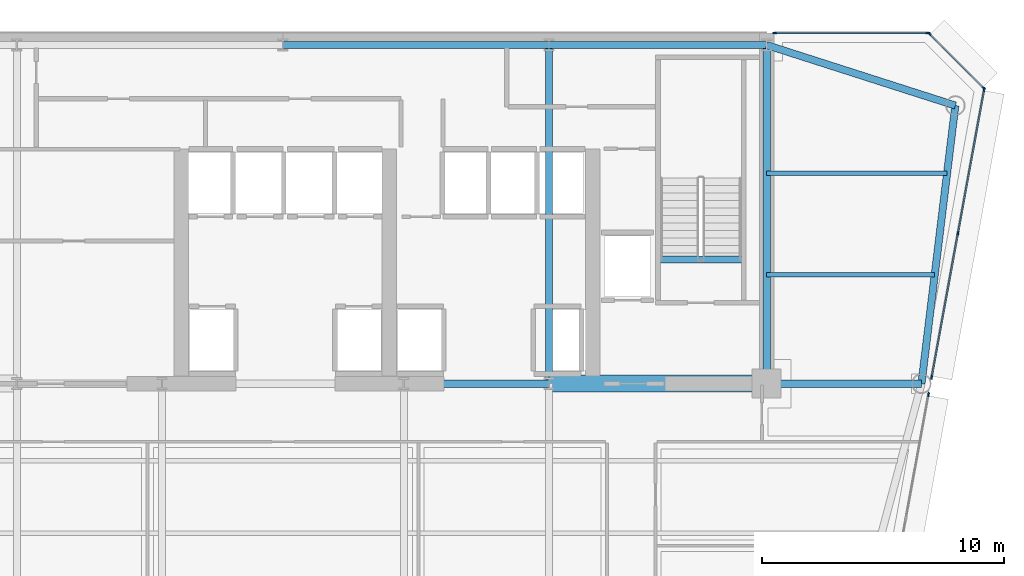
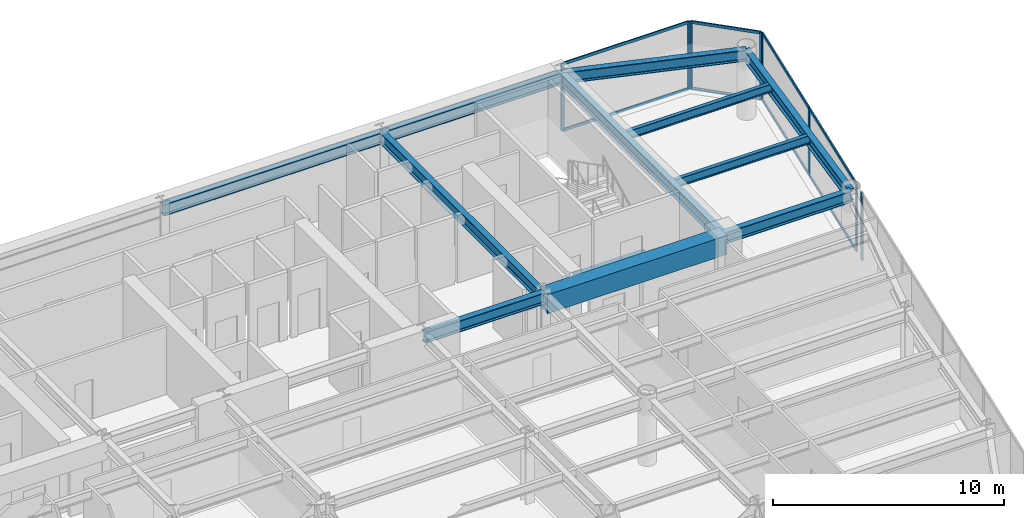
# One storey, part 9 of 17: 16 members, 12 beams, 4 elements without a shape of their own.
"""IFC4 building model written with IfcOpenShell, lengths in metres."""

from ifc_helpers import new_model, si_unit, direction, frame, origin, origin_2d, place, context, subcontext, project, spatial, rectangle, i_section, extrude, source, transform, mapped, material, layer, layer_set, material_profile, profile_set, type_object, element, aggregate, save


model = new_model("IFC4")

# Units and contexts
model_context = context("Model", 3, precision=1e-05, world=origin(), true_north=direction((0.0, 1.0)))
body_context = subcontext(model_context, "Body", "Model", "MODEL_VIEW")
ifc_project = project(units=[si_unit("LENGTHUNIT", "METRE"), si_unit("AREAUNIT", "SQUARE_METRE"), si_unit("VOLUMEUNIT", "CUBIC_METRE"), si_unit("PLANEANGLEUNIT", "RADIAN"), si_unit("MASSUNIT", "GRAM", prefix="KILO")], contexts=[model_context])

# Site, building, storey
site_placement = place(None, origin())
site = spatial("IfcSite", under=ifc_project, at=site_placement, CompositionType="ELEMENT")
building_placement = place(site_placement, origin())
building = spatial("IfcBuilding", under=site, at=building_placement, Name="Vaeldorn Concourse Tower", CompositionType="ELEMENT")
storey_placement = place(building_placement, frame((0.0, 0.0, 169.0)))
storey = spatial("IfcBuildingStorey", under=building, at=storey_placement, Name="L43", CompositionType="ELEMENT", Elevation=169.0)

# Beams
ifc_material_1 = material(Name="Concrete C50/60", Category="concrete")
ifc_material_profile_1 = material_profile(ifc_material_1, rectangle(XDim=0.699951171875, YDim=1.0, at=origin_2d()), Name="RC 700x1000")
ifc_profile_set_1 = profile_set([ifc_material_profile_1], Name="Concrete C50/60")
beam_type_1 = type_object("IfcBeamType", Name="BM-CB-RC700", PredefinedType="BEAM", material=ifc_profile_set_1)
shared_shape_1 = source(origin(), body_context, "Body", "SweptSolid", [
    extrude(rectangle(XDim=0.699951171875, YDim=1.0, at=origin_2d()), origin(), (0.0, 0.0, 1.0), 9.0),
])
beam_1_placement = place(storey_placement, frame((45.0, 36.5, 3.080078125), z_axis=(1.0, 0.0, 0.0), x_axis=(0.0, 1.0, 0.0)))
element("IfcBeam", 1, at=beam_1_placement, inside=storey, type_object=beam_type_1, Name="Core Coupling Beam L43-2", PredefinedType="BEAM", context=body_context, shape_type="MappedRepresentation", body=[
    mapped(shared_shape_1, transform((0.0, 0.0, 0.0), scale=1.0)),
])
ifc_material_2 = material(Name="Steel S355", Category="steel")
ifc_material_profile_2 = material_profile(ifc_material_2, i_section(OverallWidth=0.300048828125, OverallDepth=0.340087890625, WebThickness=0.011962890625, FlangeThickness=0.021484375, FilletRadius=0.027099609375, at=origin_2d()), Name="HEB 340")
ifc_profile_set_2 = profile_set([ifc_material_profile_2], Name="Steel S355")
beam_type_2 = type_object("IfcBeamType", Name="BM-ST-TRIM", PredefinedType="BEAM", material=ifc_profile_set_2)
shared_shape_2 = source(origin(), body_context, "Body", "SweptSolid", [
    extrude(i_section(OverallWidth=0.300048828125, OverallDepth=0.340087890625, WebThickness=0.011962890625, FlangeThickness=0.021484375, FilletRadius=0.027099609375, at=origin_2d()), origin(), (0.0, 0.0, 1.0), 3.590087890625),
])
beam_2_placement = place(storey_placement, frame((49.47998046875, 41.639892578125, -0.389892578125), z_axis=(1.0, 0.0, 0.0), x_axis=(0.0, 1.0, 0.0)))
element("IfcBeam", 2, at=beam_2_placement, inside=storey, type_object=beam_type_2, Name="Stair Landing Trimmer Beam ST-2 L43", PredefinedType="BEAM", context=body_context, shape_type="MappedRepresentation", body=[
    mapped(shared_shape_2, transform((0.0, 0.0, 0.0), scale=1.0)),
])
ifc_material_profile_3 = material_profile(ifc_material_2, i_section(OverallWidth=0.18994140625, OverallDepth=0.449951171875, WebThickness=0.009521484375, FlangeThickness=0.0146484375, FilletRadius=0.02099609375, at=origin_2d()), Name="IPE 450")
ifc_profile_set_3 = profile_set([ifc_material_profile_3], Name="Steel S355")
beam_type_3 = type_object("IfcBeamType", Name="BM-JS-IPE450", PredefinedType="JOIST", material=ifc_profile_set_3)
shared_shape_3 = source(origin(), body_context, "Body", "SweptSolid", [
    extrude(i_section(OverallWidth=0.18994140625, OverallDepth=0.449951171875, WebThickness=0.009521484375, FlangeThickness=0.0146484375, FilletRadius=0.02099609375, at=origin_2d()), origin(), (0.0, 0.0, 1.0), 6.94775390625),
])
beam_3_placement = place(storey_placement, frame((54.0, 41.0, 3.35498046875), z_axis=(1.0, 0.0, 0.0), x_axis=(0.0, 1.0, 0.0)))
element("IfcBeam", 3, at=beam_3_placement, inside=storey, type_object=beam_type_3, Name="Beam JS-L43-NE-410", PredefinedType="JOIST", context=body_context, shape_type="MappedRepresentation", body=[
    mapped(shared_shape_3, transform((0.0, 0.0, 0.0), scale=1.0)),
])
shared_shape_4 = source(origin(), body_context, "Body", "SweptSolid", [
    extrude(i_section(OverallWidth=0.18994140625, OverallDepth=0.449951171875, WebThickness=0.009521484375, FlangeThickness=0.0146484375, FilletRadius=0.02099609375, at=origin_2d()), origin(), (0.0, 0.0, 1.0), 7.458984375),
])
beam_4_placement = place(storey_placement, frame((54.0, 45.199951171875, 3.35498046875), z_axis=(1.0, 0.0, 0.0), x_axis=(0.0, 1.0, 0.0)))
element("IfcBeam", 4, at=beam_4_placement, inside=storey, type_object=beam_type_3, Name="Beam JS-L43-NE-452", PredefinedType="JOIST", context=body_context, shape_type="MappedRepresentation", body=[
    mapped(shared_shape_4, transform((0.0, 0.0, 0.0), scale=1.0)),
])
ifc_material_profile_4 = material_profile(ifc_material_2, i_section(OverallWidth=0.300048828125, OverallDepth=0.60009765625, WebThickness=0.015380859375, FlangeThickness=0.030029296875, FilletRadius=0.027099609375, at=origin_2d()), Name="HEB 600")
ifc_profile_set_4 = profile_set([ifc_material_profile_4], Name="Steel S355")
beam_type_4 = type_object("IfcBeamType", Name="BM-PG-HEB600", PredefinedType="BEAM", material=ifc_profile_set_4)
shared_shape_5 = source(origin(), body_context, "Body", "SweptSolid", [
    extrude(i_section(OverallWidth=0.300048828125, OverallDepth=0.60009765625, WebThickness=0.015380859375, FlangeThickness=0.030029296875, FilletRadius=0.027099609375, at=origin_2d()), origin(), (0.0, 0.0, 1.0), 6.0),
])
beam_5_placement = place(storey_placement, frame((39.0, 36.5, 3.280029296875), z_axis=(1.0, 0.0, 0.0), x_axis=(0.0, 1.0, 0.0)))
element("IfcBeam", 5, at=beam_5_placement, inside=storey, type_object=beam_type_4, Name="Beam BM-L43-C-FC4-C-FC5", PredefinedType="BEAM", context=body_context, shape_type="MappedRepresentation", body=[
    mapped(shared_shape_5, transform((0.0, 0.0, 0.0), scale=1.0)),
])
shared_shape_6 = source(origin(), body_context, "Body", "SweptSolid", [
    extrude(i_section(OverallWidth=0.300048828125, OverallDepth=0.60009765625, WebThickness=0.015380859375, FlangeThickness=0.030029296875, FilletRadius=0.027099609375, at=origin_2d()), origin(), (0.0, 0.0, 1.0), 9.0),
])
beam_6_placement = place(storey_placement, frame((45.0, 50.5, 3.280029296875), z_axis=(1.0, 0.0, 0.0), x_axis=(0.0, 1.0, 0.0)))
element("IfcBeam", 6, at=beam_6_placement, inside=storey, type_object=beam_type_4, Name="Beam BM-L43-C-HC4-C-HC5", PredefinedType="BEAM", context=body_context, shape_type="MappedRepresentation", body=[
    mapped(shared_shape_6, transform((0.0, 0.0, 0.0), scale=1.0)),
])
shared_shape_7 = source(origin(), body_context, "Body", "SweptSolid", [
    extrude(i_section(OverallWidth=0.300048828125, OverallDepth=0.60009765625, WebThickness=0.015380859375, FlangeThickness=0.030029296875, FilletRadius=0.027099609375, at=origin_2d()), origin(), (0.0, 0.0, 1.0), 11.0),
])
beam_7_placement = place(storey_placement, frame((34.0, 50.5, 3.280029296875), z_axis=(1.0, 0.0, 0.0), x_axis=(0.0, 1.0, 0.0)))
element("IfcBeam", 7, at=beam_7_placement, inside=storey, type_object=beam_type_4, Name="Beam BM-L43-C-HC3-C-HC4", PredefinedType="BEAM", context=body_context, shape_type="MappedRepresentation", body=[
    mapped(shared_shape_7, transform((0.0, 0.0, 0.0), scale=1.0)),
])
shared_shape_8 = source(origin(), body_context, "Body", "SweptSolid", [
    extrude(i_section(OverallWidth=0.300048828125, OverallDepth=0.60009765625, WebThickness=0.015380859375, FlangeThickness=0.030029296875, FilletRadius=0.027099609375, at=origin_2d()), origin(), (0.0, 0.0, 1.0), 14.0),
])
for number, where, z_axis, x_axis, name in (
    (8, (45.0, 36.5, 3.280029296875), (0.0, 1.0, 0.0), (-1.0, 0.0, 0.0), "Beam BM-L43-C-FC5-C-HC4"),
    (9, (54.0, 36.5, 3.280029296875), (0.0, 1.0, 0.0), (-1.0, 0.0, 0.0), "Beam BM-L43-C-FC6-C-HC5"),
):
    element("IfcBeam", number, at=place(storey_placement, frame(where, z_axis=z_axis, x_axis=x_axis)), inside=storey, type_object=beam_type_4, Name=name, PredefinedType="BEAM", context=body_context, shape_type="MappedRepresentation", body=[
        mapped(shared_shape_8, transform((0.0, 0.0, 0.0), scale=1.0)),
    ])
shared_shape_9 = source(origin(), body_context, "Body", "SweptSolid", [
    extrude(i_section(OverallWidth=0.300048828125, OverallDepth=0.60009765625, WebThickness=0.015380859375, FlangeThickness=0.030029296875, FilletRadius=0.027099609375, at=origin_2d()), origin(), (0.0, 0.0, 1.0), 8.19091796875),
])
beam_8_placement = place(storey_placement, frame((54.0, 50.5, 3.280029296875), z_axis=(0.952282843383, -0.305216949396, 0.0), x_axis=(0.305216949396, 0.952282843383, 0.0)))
element("IfcBeam", 10, at=beam_8_placement, inside=storey, type_object=beam_type_4, Name="Beam BM-L43-C-HC5-C-NE1", PredefinedType="BEAM", context=body_context, shape_type="MappedRepresentation", body=[
    mapped(shared_shape_9, transform((0.0, 0.0, 0.0), scale=1.0)),
])
shared_shape_10 = source(origin(), body_context, "Body", "SweptSolid", [
    extrude(i_section(OverallWidth=0.300048828125, OverallDepth=0.60009765625, WebThickness=0.015380859375, FlangeThickness=0.030029296875, FilletRadius=0.027099609375, at=origin_2d()), origin(), (0.0, 0.0, 1.0), 11.5849609375),
])
beam_9_placement = place(storey_placement, frame((61.800048828125, 48.0, 3.280029296875), z_axis=(-0.120859382899, -0.992669637677, 0.0), x_axis=(0.992669637677, -0.120859382899, 0.0)))
element("IfcBeam", 11, at=beam_9_placement, inside=storey, type_object=beam_type_4, Name="Beam BM-L43-C-NE1-C-NE2", PredefinedType="BEAM", context=body_context, shape_type="MappedRepresentation", body=[
    mapped(shared_shape_10, transform((0.0, 0.0, 0.0), scale=1.0)),
])
shared_shape_11 = source(origin(), body_context, "Body", "SweptSolid", [
    extrude(i_section(OverallWidth=0.300048828125, OverallDepth=0.60009765625, WebThickness=0.015380859375, FlangeThickness=0.030029296875, FilletRadius=0.027099609375, at=origin_2d()), origin(), (0.0, 0.0, 1.0), 6.39990234375),
])
beam_10_placement = place(storey_placement, frame((54.0, 36.5, 3.280029296875), z_axis=(1.0, 0.0, 0.0), x_axis=(0.0, 1.0, 0.0)))
element("IfcBeam", 12, at=beam_10_placement, inside=storey, type_object=beam_type_4, Name="Beam BM-L43-C-FC6-C-NE2", PredefinedType="BEAM", context=body_context, shape_type="MappedRepresentation", body=[
    mapped(shared_shape_11, transform((0.0, 0.0, 0.0), scale=1.0)),
])

# Curtain wall, members
ifc_material_3 = material(Name="Anodised Bronze Aluminium", Category="aluminium")
ifc_layer = layer(ifc_material_3, 0.18994140625)
ifc_layer_set = layer_set([ifc_layer], Name="Anodised Bronze Aluminium")
curtain_wall_type = type_object("IfcCurtainWallType", Name="CW-SYS-03", PredefinedType="NOTDEFINED", material=ifc_layer_set)
curtain_wall_1_placement = place(storey_placement, origin())
curtain_wall_1 = element("IfcCurtainWall", 13, at=curtain_wall_1_placement, inside=storey, type_object=curtain_wall_type, Name="Unitised Curtain Wall CW-L43-E08-1", PredefinedType="NOTDEFINED")
ifc_material_profile_5 = material_profile(ifc_material_3, rectangle(XDim=0.06494140625, YDim=0.14990234375, at=origin_2d()), Name="CWT 65x150")
ifc_profile_set_5 = profile_set([ifc_material_profile_5], Name="Anodised Bronze Aluminium")
member_type_1 = type_object("IfcMemberType", Name="CWT-BRONZE-150", PredefinedType="USERDEFINED", material=ifc_profile_set_5)
shared_shape_12 = source(origin(), body_context, "Body", "SweptSolid", [
    extrude(rectangle(XDim=0.06494140625, YDim=0.14990234375, at=origin_2d()), origin(), (0.0, 0.0, 1.0), 3.123046875),
])
member_1_placement = place(storey_placement, frame((62.9541015625, 48.745849609375, 0.032470703125), z_axis=(-0.707106781187, 0.707106781187, 0.0), x_axis=(-0.707106781187, -0.707106781187, 0.0)))
member_1 = element("IfcMember", 14, at=member_1_placement, type_object=member_type_1, Name="CW-03 transom 1.1", ObjectType="TRANSOM", PredefinedType="USERDEFINED", context=body_context, shape_type="MappedRepresentation", body=[
    mapped(shared_shape_12, transform((0.0, 0.0, 0.0), scale=1.0)),
])
member_2_placement = place(storey_placement, frame((62.9541015625, 48.745849609375, 3.547607421875), z_axis=(-0.707106781187, 0.707106781187, 0.0), x_axis=(-0.707106781187, -0.707106781187, 0.0)))
member_2 = element("IfcMember", 15, at=member_2_placement, type_object=member_type_1, Name="CW-03 transom 1.2", ObjectType="TRANSOM", PredefinedType="USERDEFINED", context=body_context, shape_type="MappedRepresentation", body=[
    mapped(shared_shape_12, transform((0.0, 0.0, 0.0), scale=1.0)),
])

curtain_wall_2_placement = place(storey_placement, origin())
curtain_wall_2 = element("IfcCurtainWall", 16, at=curtain_wall_2_placement, inside=storey, type_object=curtain_wall_type, Name="Unitised Curtain Wall CW-L43-E07-2", PredefinedType="NOTDEFINED")
shared_shape_13 = source(origin(), body_context, "Body", "SweptSolid", [
    extrude(rectangle(XDim=0.06494140625, YDim=0.14990234375, at=origin_2d()), origin(), (0.0, 0.0, 1.0), 5.986572265625),
])
member_3_placement = place(storey_placement, frame((60.828125, 36.79345703125, 0.032470703125), z_axis=(0.179438079261, 0.98376926955, 0.0), x_axis=(-0.98376926955, 0.179438079261, 0.0)))
member_3 = element("IfcMember", 17, at=member_3_placement, type_object=member_type_1, Name="CW-03 transom 1.1", ObjectType="TRANSOM", PredefinedType="USERDEFINED", context=body_context, shape_type="MappedRepresentation", body=[
    mapped(shared_shape_13, transform((0.0, 0.0, 0.0), scale=1.0)),
])
member_4_placement = place(storey_placement, frame((60.828125, 36.79345703125, 3.547607421875), z_axis=(0.179438079261, 0.98376926955, 0.0), x_axis=(-0.98376926955, 0.179438079261, 0.0)))
member_4 = element("IfcMember", 18, at=member_4_placement, type_object=member_type_1, Name="CW-03 transom 1.2", ObjectType="TRANSOM", PredefinedType="USERDEFINED", context=body_context, shape_type="MappedRepresentation", body=[
    mapped(shared_shape_13, transform((0.0, 0.0, 0.0), scale=1.0)),
])
shared_shape_14 = source(origin(), body_context, "Body", "SweptSolid", [
    extrude(rectangle(XDim=0.06494140625, YDim=0.14990234375, at=origin_2d()), origin(), (0.0, 0.0, 1.0), 5.986328125),
])
member_5_placement = place(storey_placement, frame((61.9140625, 42.746826171875, 0.032470703125), z_axis=(0.179445278506, 0.983767956391, 0.0), x_axis=(-0.983767956391, 0.179445278506, 0.0)))
member_5 = element("IfcMember", 19, at=member_5_placement, type_object=member_type_1, Name="CW-03 transom 2.1", ObjectType="TRANSOM", PredefinedType="USERDEFINED", context=body_context, shape_type="MappedRepresentation", body=[
    mapped(shared_shape_14, transform((0.0, 0.0, 0.0), scale=1.0)),
])
member_6_placement = place(storey_placement, frame((61.9140625, 42.746826171875, 3.547607421875), z_axis=(0.179445278506, 0.983767956391, 0.0), x_axis=(-0.983767956391, 0.179445278506, 0.0)))
member_6 = element("IfcMember", 20, at=member_6_placement, type_object=member_type_1, Name="CW-03 transom 2.2", ObjectType="TRANSOM", PredefinedType="USERDEFINED", context=body_context, shape_type="MappedRepresentation", body=[
    mapped(shared_shape_14, transform((0.0, 0.0, 0.0), scale=1.0)),
])

# Curtain wall, member
curtain_wall_3_placement = place(storey_placement, origin())
curtain_wall_3 = element("IfcCurtainWall", 21, at=curtain_wall_3_placement, inside=storey, type_object=curtain_wall_type, Name="Unitised Curtain Wall CW-L43-E07-1", PredefinedType="NOTDEFINED")
ifc_material_profile_6 = material_profile(ifc_material_3, rectangle(XDim=0.06494140625, YDim=0.169921875, at=origin_2d()), Name="CWM 65x170")
ifc_profile_set_6 = profile_set([ifc_material_profile_6], Name="Anodised Bronze Aluminium")
member_type_2 = type_object("IfcMemberType", Name="CWM-BRONZE-170", PredefinedType="MULLION", material=ifc_profile_set_6)
shared_shape_15 = source(origin(), body_context, "Body", "SweptSolid", [
    extrude(rectangle(XDim=0.06494140625, YDim=0.169921875, at=origin_2d()), origin(), (0.0, 0.0, 1.0), 3.580078125),
])
member_7_placement = place(storey_placement, frame((60.69287109375, 36.051513671875, 0.0), z_axis=(0.0, 0.0, 1.0), x_axis=(-0.983767841325, 0.179445909331, 0.0)))
member_7 = element("IfcMember", 22, at=member_7_placement, type_object=member_type_2, Name="CW-03 mullion 7", PredefinedType="MULLION", context=body_context, shape_type="MappedRepresentation", body=[
    mapped(shared_shape_15, transform((0.0, 0.0, 0.0), scale=1.0)),
])
aggregate(curtain_wall_3, [member_7])

# Member
member_8_placement = place(storey_placement, frame((60.822265625, 36.761474609375, 0.0), z_axis=(0.0, 0.0, 1.0), x_axis=(-0.983767579285, 0.179447345892, 0.0)))
member_8 = element("IfcMember", 23, at=member_8_placement, type_object=member_type_2, Name="CW-03 mullion 1", PredefinedType="MULLION", context=body_context, shape_type="MappedRepresentation", body=[
    mapped(shared_shape_15, transform((0.0, 0.0, 0.0), scale=1.0)),
])

member_9_placement = place(storey_placement, frame((61.908203125, 42.71484375, 0.0), z_axis=(0.0, 0.0, 1.0), x_axis=(-0.983767579285, 0.179447345892, 0.0)))
member_9 = element("IfcMember", 24, at=member_9_placement, type_object=member_type_2, Name="CW-03 mullion 2", PredefinedType="MULLION", context=body_context, shape_type="MappedRepresentation", body=[
    mapped(shared_shape_15, transform((0.0, 0.0, 0.0), scale=1.0)),
])

member_10_placement = place(storey_placement, frame((62.994140625, 48.66796875, 0.0), z_axis=(0.0, 0.0, 1.0), x_axis=(-0.983767579285, 0.179447345892, 0.0)))
member_10 = element("IfcMember", 25, at=member_10_placement, type_object=member_type_2, Name="CW-03 mullion 3", PredefinedType="MULLION", context=body_context, shape_type="MappedRepresentation", body=[
    mapped(shared_shape_15, transform((0.0, 0.0, 0.0), scale=1.0)),
])

aggregate(curtain_wall_2, [member_8, member_9, member_10, member_3, member_4, member_5, member_6])

member_11_placement = place(storey_placement, frame((62.97705078125, 48.722900390625, 0.0), z_axis=(0.0, 0.0, 1.0), x_axis=(-0.707106781187, -0.707106781187, 0.0)))
member_11 = element("IfcMember", 26, at=member_11_placement, type_object=member_type_2, Name="CW-03 mullion 1", PredefinedType="MULLION", context=body_context, shape_type="MappedRepresentation", body=[
    mapped(shared_shape_15, transform((0.0, 0.0, 0.0), scale=1.0)),
])

member_12_placement = place(storey_placement, frame((60.722900390625, 50.97705078125, 0.0), z_axis=(0.0, 0.0, 1.0), x_axis=(-0.707106781187, -0.707106781187, 0.0)))
member_12 = element("IfcMember", 27, at=member_12_placement, type_object=member_type_2, Name="CW-03 mullion 2", PredefinedType="MULLION", context=body_context, shape_type="MappedRepresentation", body=[
    mapped(shared_shape_15, transform((0.0, 0.0, 0.0), scale=1.0)),
])

aggregate(curtain_wall_1, [member_11, member_12, member_1, member_2])

# Curtain wall, members
curtain_wall_4_placement = place(storey_placement, origin())
curtain_wall_4 = element("IfcCurtainWall", 28, at=curtain_wall_4_placement, inside=storey, type_object=curtain_wall_type, Name="Unitised Curtain Wall CW-L43-E09-1", PredefinedType="NOTDEFINED")
member_13_placement = place(storey_placement, frame((60.66748046875, 51.0, 0.0), z_axis=(0.0, 0.0, 1.0), x_axis=(0.0, -1.0, 0.0)))
member_13 = element("IfcMember", 29, at=member_13_placement, type_object=member_type_2, Name="CW-03 mullion 1", PredefinedType="MULLION", context=body_context, shape_type="MappedRepresentation", body=[
    mapped(shared_shape_15, transform((0.0, 0.0, 0.0), scale=1.0)),
])
member_14_placement = place(storey_placement, frame((54.327392578125, 51.0, 0.0), z_axis=(0.0, 0.0, 1.0), x_axis=(0.0, -1.0, 0.0)))
member_14 = element("IfcMember", 30, at=member_14_placement, type_object=member_type_2, Name="CW-03 mullion 2", PredefinedType="MULLION", context=body_context, shape_type="MappedRepresentation", body=[
    mapped(shared_shape_15, transform((0.0, 0.0, 0.0), scale=1.0)),
])
shared_shape_16 = source(origin(), body_context, "Body", "SweptSolid", [
    extrude(rectangle(XDim=0.06494140625, YDim=0.14990234375, at=origin_2d()), origin(), (0.0, 0.0, 1.0), 6.27490234375),
])
member_15_placement = place(storey_placement, frame((60.635009765625, 51.0, 0.032470703125), z_axis=(-1.0, 0.0, 0.0), x_axis=(0.0, -1.0, 0.0)))
member_15 = element("IfcMember", 31, at=member_15_placement, type_object=member_type_1, Name="CW-03 transom 1.1", ObjectType="TRANSOM", PredefinedType="USERDEFINED", context=body_context, shape_type="MappedRepresentation", body=[
    mapped(shared_shape_16, transform((0.0, 0.0, 0.0), scale=1.0)),
])
member_16_placement = place(storey_placement, frame((60.635009765625, 51.0, 3.547607421875), z_axis=(-1.0, 0.0, 0.0), x_axis=(0.0, -1.0, 0.0)))
member_16 = element("IfcMember", 32, at=member_16_placement, type_object=member_type_1, Name="CW-03 transom 1.2", ObjectType="TRANSOM", PredefinedType="USERDEFINED", context=body_context, shape_type="MappedRepresentation", body=[
    mapped(shared_shape_16, transform((0.0, 0.0, 0.0), scale=1.0)),
])
aggregate(curtain_wall_4, [member_13, member_14, member_15, member_16])

save(model, "model.ifc")
